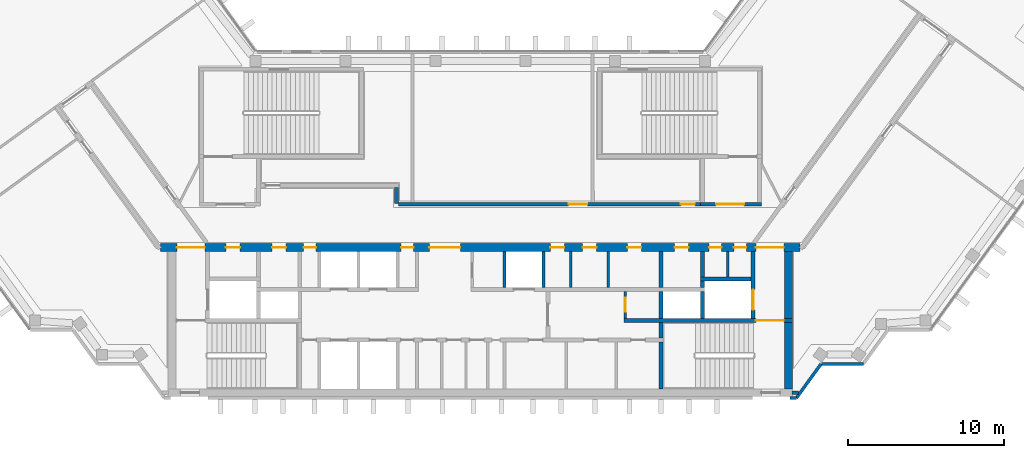
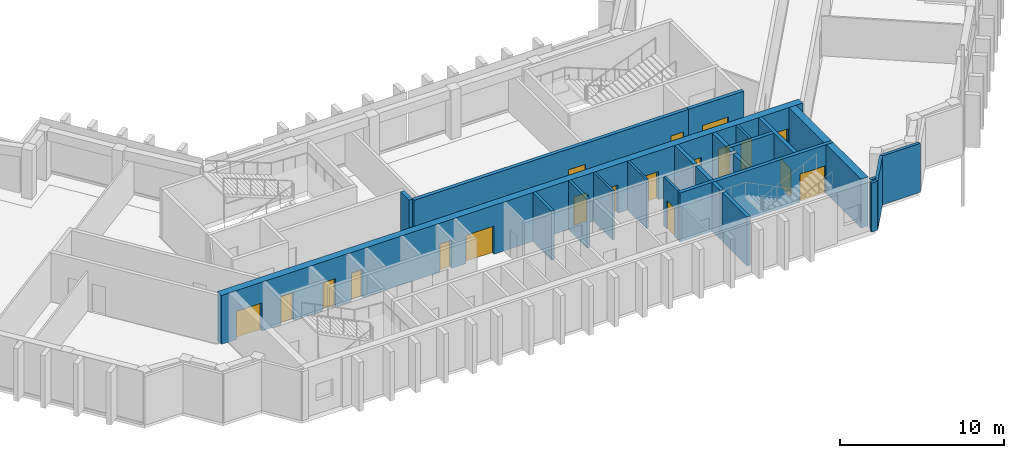
# One storey, part 6 of 10: 26 walls, 19 doors, 19 openings.
"""IFC4 building model written with IfcOpenShell, lengths in metres."""

from ifc_helpers import new_model, si_unit, direction, frame, frame_2d, origin, place, context, subcontext, project, spatial, rectangle, extrude, material, layer, layer_set, type_object, element, fill, save


model = new_model("IFC4")

# Units and contexts
model_context = context("Model", 3, precision=1e-05, world=origin(), true_north=direction((0.0, 1.0)))
body_context = subcontext(model_context, "Body", "Model", "MODEL_VIEW")
ifc_project = project(units=[si_unit("LENGTHUNIT", "METRE"), si_unit("AREAUNIT", "SQUARE_METRE"), si_unit("VOLUMEUNIT", "CUBIC_METRE"), si_unit("PLANEANGLEUNIT", "RADIAN"), si_unit("MASSUNIT", "GRAM", prefix="KILO")], contexts=[model_context])

# Site, building, storey
site_placement = place(None, origin())
site = spatial("IfcSite", under=ifc_project, at=site_placement, CompositionType="ELEMENT")
building_placement = place(site_placement, origin())
building = spatial("IfcBuilding", under=site, at=building_placement, Name="Quipu Civic Tower", CompositionType="ELEMENT")
storey_placement = place(building_placement, frame((0.0, 0.0, 327.0)))
storey = spatial("IfcBuildingStorey", under=building, at=storey_placement, Name="L76", CompositionType="ELEMENT", Elevation=327.0)

# Walls
ifc_material_1 = material(Name="Concrete C70/85", Category="concrete")
ifc_layer_1 = layer(ifc_material_1, 0.25)
ifc_layer_set_1 = layer_set([ifc_layer_1], Name="Concrete C70/85")
wall_type_1 = type_object("IfcWallType", Name="Core wall 250", PredefinedType="SHEAR", material=ifc_layer_set_1)
wall_1_placement = place(storey_placement, frame((11.574951171875, -10.5, 0.0), z_axis=(0.0, 0.0, 1.0), x_axis=(0.0, 1.0, 0.0)))
element("IfcWall", 1, at=wall_1_placement, inside=storey, type_object=wall_type_1, Name="Core wall", PredefinedType="SHEAR", context=body_context, shape_type="SweptSolid", body=[
    extrude(rectangle(XDim=3.0, YDim=0.25, at=frame_2d((1.5, 0.0))), origin(), (0.0, 0.0, 1.0), 3.64990234375),
])
wall_2_placement = place(storey_placement, frame((11.574951171875, -7.25, 0.0), z_axis=(0.0, 0.0, 1.0), x_axis=(0.0, 1.0, 0.0)))
element("IfcWall", 2, at=wall_2_placement, inside=storey, type_object=wall_type_1, Name="Core wall", PredefinedType="SHEAR", context=body_context, shape_type="SweptSolid", body=[
    extrude(rectangle(XDim=1.0, YDim=0.25, at=frame_2d((0.5, 0.0))), origin(), (0.0, 0.0, 1.0), 3.64990234375),
])

# Wall, opening, door
wall_3_placement = place(storey_placement, frame((20.0, -6.125, 0.0), z_axis=(0.0, 0.0, 1.0), x_axis=(-1.0, 0.0, 0.0)))
wall_3 = element("IfcWall", 3, at=wall_3_placement, inside=storey, type_object=wall_type_1, Name="Core wall", PredefinedType="SHEAR", context=body_context, shape_type="SweptSolid", body=[
    extrude(rectangle(XDim=10.800048828125, YDim=0.25, at=frame_2d((5.39990234375, 0.0))), origin(), (0.0, 0.0, 1.0), 3.64990234375),
])
opening_1_placement = place(wall_3_placement, frame((0.550048828125, 0.0, 0.0)))
opening_1 = element("IfcOpeningElement", 4, at=opening_1_placement, cuts=wall_3, Name="Opening CD-11", PredefinedType="OPENING", context=body_context, shape_type="SweptSolid", body=[
    extrude(rectangle(XDim=1.800048828125, YDim=2.10009765625, at=frame_2d((0.89990234375, 1.050048828125))), frame((0.0, 0.135009765625, 0.0), z_axis=(0.0, -1.0, 0.0), x_axis=(1.0, 0.0, 0.0)), (0.0, 0.0, 1.0), 0.27001953125),
])
ifc_material_2 = material(Name="Fire rated steel door", Category="steel")
door_type_1 = type_object("IfcDoorType", Name="Fire door FD90 double 1800 x 2100", OperationType="NOTDEFINED", PredefinedType="DOOR", material=ifc_material_2)
door_1_placement = place(opening_1_placement, origin())
door_1 = element("IfcDoor", 5, at=door_1_placement, inside=storey, type_object=door_type_1, Name="Door", OperationType="DOUBLE_DOOR_SINGLE_SWING", OverallHeight=2.10009765625, OverallWidth=1.800048828125, PredefinedType="DOOR", context=body_context, shape_type="SweptSolid", body=[
    extrude(rectangle(XDim=1.800048828125, YDim=2.10009765625, at=frame_2d((0.89990234375, 1.050048828125))), frame((0.0, 0.02490234375, 0.0), z_axis=(0.0, -1.0, 0.0), x_axis=(1.0, 0.0, 0.0)), (0.0, 0.0, 1.0), 0.050048828125),
])
fill(opening_1, door_1)

# Walls
for number, where, z_axis, x_axis, name in (
    (6, (11.574951171875, -6.0, 0.0), (0.0, 0.0, 1.0), (0.0, 1.0, 0.0), "Core wall"),
    (7, (14.22509765625, -6.0, 0.0), (0.0, 0.0, 1.0), (0.0, 1.0, 0.0), "Core wall"),
):
    element("IfcWall", number, at=place(storey_placement, frame(where, z_axis=z_axis, x_axis=x_axis)), inside=storey, type_object=wall_type_1, Name=name, PredefinedType="SHEAR", context=body_context, shape_type="SweptSolid", body=[
        extrude(rectangle(XDim=1.75, YDim=0.25, at=frame_2d((0.875, 0.0))), origin(), (0.0, 0.0, 1.0), 3.64990234375),
    ])

# Wall, opening, door
wall_4_placement = place(storey_placement, frame((17.47509765625, -6.0, 0.0), z_axis=(0.0, 0.0, 1.0), x_axis=(0.0, 1.0, 0.0)))
wall_4 = element("IfcWall", 8, at=wall_4_placement, inside=storey, type_object=wall_type_1, Name="Core wall", PredefinedType="SHEAR", context=body_context, shape_type="SweptSolid", body=[
    extrude(rectangle(XDim=4.300048828125, YDim=0.25, at=frame_2d((2.14990234375, 0.0))), origin(), (0.0, 0.0, 1.0), 3.64990234375),
])
opening_2_placement = place(wall_4_placement, frame((0.550048828125, 0.0, 0.0)))
opening_2 = element("IfcOpeningElement", 9, at=opening_2_placement, cuts=wall_4, Name="Opening LD-FF2", PredefinedType="OPENING", context=body_context, shape_type="SweptSolid", body=[
    extrude(rectangle(XDim=1.300048828125, YDim=2.10009765625, at=frame_2d((0.64990234375, 1.050048828125))), frame((0.0, 0.135009765625, 0.0), z_axis=(0.0, -1.0, 0.0), x_axis=(1.0, 0.0, 0.0)), (0.0, 0.0, 1.0), 0.27001953125),
])
ifc_material_3 = material(Name="Stainless steel", Category="steel")
door_type_2 = type_object("IfcDoorType", Name="Lift landing door 1300 x 2100", OperationType="DOUBLE_DOOR_SLIDING", PredefinedType="DOOR", material=ifc_material_3)
door_2_placement = place(opening_2_placement, origin())
door_2 = element("IfcDoor", 10, at=door_2_placement, inside=storey, type_object=door_type_2, Name="Landing door FF2", OperationType="DOUBLE_DOOR_SLIDING", OverallHeight=2.10009765625, OverallWidth=1.300048828125, PredefinedType="DOOR", context=body_context, shape_type="SweptSolid", body=[
    extrude(rectangle(XDim=1.300048828125, YDim=2.10009765625, at=frame_2d((0.64990234375, 1.050048828125))), frame((0.0, 0.02490234375, 0.0), z_axis=(0.0, -1.0, 0.0), x_axis=(1.0, 0.0, 0.0)), (0.0, 0.0, 1.0), 0.050048828125),
])
fill(opening_2, door_2)

# Walls
wall_5_placement = place(storey_placement, frame((11.574951171875, -4.0, 0.0), z_axis=(0.0, 0.0, 1.0), x_axis=(0.0, 1.0, 0.0)))
element("IfcWall", 11, at=wall_5_placement, inside=storey, type_object=wall_type_1, Name="Core wall", PredefinedType="SHEAR", context=body_context, shape_type="SweptSolid", body=[
    extrude(rectangle(XDim=2.300048828125, YDim=0.25, at=frame_2d((1.14990234375, 0.0))), origin(), (0.0, 0.0, 1.0), 3.64990234375),
])
wall_6_placement = place(storey_placement, frame((14.22509765625, -4.0, 0.0), z_axis=(0.0, 0.0, 1.0), x_axis=(0.0, 1.0, 0.0)))
element("IfcWall", 12, at=wall_6_placement, inside=storey, type_object=wall_type_1, Name="Core wall", PredefinedType="SHEAR", context=body_context, shape_type="SweptSolid", body=[
    extrude(rectangle(XDim=0.39990234375, YDim=0.25, at=frame_2d((0.199951171875, 0.0))), origin(), (0.0, 0.0, 1.0), 3.64990234375),
])
wall_7_placement = place(storey_placement, frame((14.10009765625, -3.47509765625, 0.0), z_axis=(0.0, 0.0, 1.0), x_axis=(1.0, 0.0, 0.0)))
element("IfcWall", 13, at=wall_7_placement, inside=storey, type_object=wall_type_1, Name="Core wall", PredefinedType="SHEAR", context=body_context, shape_type="SweptSolid", body=[
    extrude(rectangle(XDim=3.25, YDim=0.25, at=frame_2d((1.625, 0.0))), origin(), (0.0, 0.0, 1.0), 3.64990234375),
])
wall_8_placement = place(storey_placement, frame((14.22509765625, -3.35009765625, 0.0), z_axis=(0.0, 0.0, 1.0), x_axis=(0.0, 1.0, 0.0)))
element("IfcWall", 14, at=wall_8_placement, inside=storey, type_object=wall_type_1, Name="Core wall", PredefinedType="SHEAR", context=body_context, shape_type="SweptSolid", body=[
    extrude(rectangle(XDim=1.650146484375, YDim=0.25, at=frame_2d((0.8251953125, 0.0))), origin(), (0.0, 0.0, 1.0), 3.64990234375),
])

# Wall, opening, door
wall_9_placement = place(storey_placement, frame((14.10009765625, 1.324951171875, 0.0), z_axis=(0.0, 0.0, 1.0), x_axis=(1.0, 0.0, 0.0)))
wall_9 = element("IfcWall", 15, at=wall_9_placement, inside=storey, type_object=wall_type_1, Name="Core wall", PredefinedType="SHEAR", context=body_context, shape_type="SweptSolid", body=[
    extrude(rectangle(XDim=3.89990234375, YDim=0.25, at=frame_2d((1.949951171875, 0.0))), origin(), (0.0, 0.0, 1.0), 3.64990234375),
])
opening_3_placement = place(wall_9_placement, frame((1.0, 0.0, 0.0)))
opening_3 = element("IfcOpeningElement", 16, at=opening_3_placement, cuts=wall_9, Name="Opening CD-30", PredefinedType="OPENING", context=body_context, shape_type="SweptSolid", body=[
    extrude(rectangle(XDim=1.800048828125, YDim=2.10009765625, at=frame_2d((0.89990234375, 1.050048828125))), frame((0.0, 0.135009765625, 0.0), z_axis=(0.0, -1.0, 0.0), x_axis=(1.0, 0.0, 0.0)), (0.0, 0.0, 1.0), 0.27001953125),
])
door_3_placement = place(opening_3_placement, origin())
door_3 = element("IfcDoor", 17, at=door_3_placement, inside=storey, type_object=door_type_1, Name="Lobby door", OperationType="DOUBLE_DOOR_SINGLE_SWING", OverallHeight=2.10009765625, OverallWidth=1.800048828125, PredefinedType="DOOR", context=body_context, shape_type="SweptSolid", body=[
    extrude(rectangle(XDim=1.800048828125, YDim=2.10009765625, at=frame_2d((0.89990234375, 1.050048828125))), frame((0.0, 0.02490234375, 0.0), z_axis=(0.0, -1.0, 0.0), x_axis=(1.0, 0.0, 0.0)), (0.0, 0.0, 1.0), 0.050048828125),
])
fill(opening_3, door_3)

# Walls
ifc_material_4 = material(Name="Concrete C70/85", Category="concrete")
ifc_layer_2 = layer(ifc_material_4, 0.5)
ifc_layer_set_2 = layer_set([ifc_layer_2], Name="Concrete C70/85")
wall_type_2 = type_object("IfcWallType", Name="Core wall 500", PredefinedType="SHEAR", material=ifc_layer_set_2)
wall_10_placement = place(storey_placement, frame((19.75, -10.5, 0.0), z_axis=(0.0, 0.0, 1.0), x_axis=(0.0, 1.0, 0.0)))
element("IfcWall", 18, at=wall_10_placement, inside=storey, type_object=wall_type_2, Name="Core wall", PredefinedType="SHEAR", context=body_context, shape_type="SweptSolid", body=[
    extrude(rectangle(XDim=4.25, YDim=0.5, at=frame_2d((2.125, 0.0))), origin(), (0.0, 0.0, 1.0), 3.64990234375),
])
wall_11_placement = place(storey_placement, frame((19.75, -6.0, 0.0), z_axis=(0.0, 0.0, 1.0), x_axis=(0.0, 1.0, 0.0)))
element("IfcWall", 19, at=wall_11_placement, inside=storey, type_object=wall_type_2, Name="Core wall", PredefinedType="SHEAR", context=body_context, shape_type="SweptSolid", body=[
    extrude(rectangle(XDim=4.300048828125, YDim=0.5, at=frame_2d((2.14990234375, 0.0))), origin(), (0.0, 0.0, 1.0), 3.64990234375),
])

# Wall, openings, doors
wall_12_placement = place(storey_placement, frame((20.489990234375, -1.449951171875, 0.0), z_axis=(0.0, 0.0, 1.0), x_axis=(-1.0, 0.0, 0.0)))
wall_12 = element("IfcWall", 20, at=wall_12_placement, inside=storey, type_object=wall_type_2, Name="Core wall", PredefinedType="SHEAR", context=body_context, shape_type="SweptSolid", body=[
    extrude(rectangle(XDim=40.97998046875, YDim=0.5, at=frame_2d((20.489990234375, 0.0))), origin(), (0.0, 0.0, 1.0), 3.64990234375),
])
opening_4_placement = place(wall_12_placement, frame((38.139892578125, 0.0, 0.0)))
opening_4 = element("IfcOpeningElement", 21, at=opening_4_placement, cuts=wall_12, Name="Opening CD-15", PredefinedType="OPENING", context=body_context, shape_type="SweptSolid", body=[
    extrude(rectangle(XDim=1.800048828125, YDim=2.10009765625, at=frame_2d((0.89990234375, 1.050048828125))), frame((0.0, 0.260009765625, 0.0), z_axis=(0.0, -1.0, 0.0), x_axis=(1.0, 0.0, 0.0)), (0.0, 0.0, 1.0), 0.52001953125),
])
opening_5_placement = place(wall_12_placement, frame((35.889892578125, 0.0, 0.0)))
opening_5 = element("IfcOpeningElement", 22, at=opening_5_placement, cuts=wall_12, Name="Opening CD-16", PredefinedType="OPENING", context=body_context, shape_type="SweptSolid", body=[
    extrude(rectangle(XDim=0.89990234375, YDim=2.10009765625, at=frame_2d((0.449951171875, 1.050048828125))), frame((0.0, 0.260009765625, 0.0), z_axis=(0.0, -1.0, 0.0), x_axis=(1.0, 0.0, 0.0)), (0.0, 0.0, 1.0), 0.52001953125),
])
opening_6_placement = place(wall_12_placement, frame((32.93994140625, 0.0, 0.0)))
opening_6 = element("IfcOpeningElement", 23, at=opening_6_placement, cuts=wall_12, Name="Opening CD-17", PredefinedType="OPENING", context=body_context, shape_type="SweptSolid", body=[
    extrude(rectangle(XDim=0.89990234375, YDim=2.10009765625, at=frame_2d((0.449951171875, 1.050048828125))), frame((0.0, 0.260009765625, 0.0), z_axis=(0.0, -1.0, 0.0), x_axis=(1.0, 0.0, 0.0)), (0.0, 0.0, 1.0), 0.52001953125),
])
opening_7_placement = place(wall_12_placement, frame((31.014892578125, 0.0, 0.0)))
opening_7 = element("IfcOpeningElement", 24, at=opening_7_placement, cuts=wall_12, Name="Opening CD-18", PredefinedType="OPENING", context=body_context, shape_type="SweptSolid", body=[
    extrude(rectangle(XDim=0.800048828125, YDim=2.10009765625, at=frame_2d((0.39990234375, 1.050048828125))), frame((0.0, 0.260009765625, 0.0), z_axis=(0.0, -1.0, 0.0), x_axis=(1.0, 0.0, 0.0)), (0.0, 0.0, 1.0), 0.52001953125),
])
opening_8_placement = place(wall_12_placement, frame((24.764892578125, 0.0, 0.0)))
opening_8 = element("IfcOpeningElement", 25, at=opening_8_placement, cuts=wall_12, Name="Opening CD-19", PredefinedType="OPENING", context=body_context, shape_type="SweptSolid", body=[
    extrude(rectangle(XDim=0.800048828125, YDim=2.10009765625, at=frame_2d((0.39990234375, 1.050048828125))), frame((0.0, 0.260009765625, 0.0), z_axis=(0.0, -1.0, 0.0), x_axis=(1.0, 0.0, 0.0)), (0.0, 0.0, 1.0), 0.52001953125),
])
opening_9_placement = place(wall_12_placement, frame((21.764892578125, 0.0, 0.0)))
opening_9 = element("IfcOpeningElement", 26, at=opening_9_placement, cuts=wall_12, Name="Opening CD-20", PredefinedType="OPENING", context=body_context, shape_type="SweptSolid", body=[
    extrude(rectangle(XDim=2.0, YDim=2.10009765625, at=frame_2d((1.0, 1.050048828125))), frame((0.0, 0.260009765625, 0.0), z_axis=(0.0, -1.0, 0.0), x_axis=(1.0, 0.0, 0.0)), (0.0, 0.0, 1.0), 0.52001953125),
])
opening_10_placement = place(wall_12_placement, frame((15.1025390625, 0.0, 0.0)))
opening_10 = element("IfcOpeningElement", 27, at=opening_10_placement, cuts=wall_12, Name="Opening CD-21", PredefinedType="OPENING", context=body_context, shape_type="SweptSolid", body=[
    extrude(rectangle(XDim=0.89990234375, YDim=2.10009765625, at=frame_2d((0.449951171875, 1.050048828125))), frame((0.0, 0.260009765625, 0.0), z_axis=(0.0, -1.0, 0.0), x_axis=(1.0, 0.0, 0.0)), (0.0, 0.0, 1.0), 0.52001953125),
])
opening_11_placement = place(wall_12_placement, frame((13.0400390625, 0.0, 0.0)))
opening_11 = element("IfcOpeningElement", 28, at=opening_11_placement, cuts=wall_12, Name="Opening CD-22", PredefinedType="OPENING", context=body_context, shape_type="SweptSolid", body=[
    extrude(rectangle(XDim=0.89990234375, YDim=2.10009765625, at=frame_2d((0.449951171875, 1.050048828125))), frame((0.0, 0.260009765625, 0.0), z_axis=(0.0, -1.0, 0.0), x_axis=(1.0, 0.0, 0.0)), (0.0, 0.0, 1.0), 0.52001953125),
])
opening_12_placement = place(wall_12_placement, frame((10.177490234375, 0.0, 0.0)))
opening_12 = element("IfcOpeningElement", 29, at=opening_12_placement, cuts=wall_12, Name="Opening CD-23", PredefinedType="OPENING", context=body_context, shape_type="SweptSolid", body=[
    extrude(rectangle(XDim=0.89990234375, YDim=2.10009765625, at=frame_2d((0.449951171875, 1.050048828125))), frame((0.0, 0.260009765625, 0.0), z_axis=(0.0, -1.0, 0.0), x_axis=(1.0, 0.0, 0.0)), (0.0, 0.0, 1.0), 0.52001953125),
])
opening_13_placement = place(wall_12_placement, frame((7.139892578125, 0.0, 0.0)))
opening_13 = element("IfcOpeningElement", 30, at=opening_13_placement, cuts=wall_12, Name="Opening CD-24", PredefinedType="OPENING", context=body_context, shape_type="SweptSolid", body=[
    extrude(rectangle(XDim=0.89990234375, YDim=2.10009765625, at=frame_2d((0.449951171875, 1.050048828125))), frame((0.0, 0.260009765625, 0.0), z_axis=(0.0, -1.0, 0.0), x_axis=(1.0, 0.0, 0.0)), (0.0, 0.0, 1.0), 0.52001953125),
])
opening_14_placement = place(wall_12_placement, frame((5.027587890625, 0.0, 0.0)))
opening_14 = element("IfcOpeningElement", 31, at=opening_14_placement, cuts=wall_12, Name="Opening CD-25", PredefinedType="OPENING", context=body_context, shape_type="SweptSolid", body=[
    extrude(rectangle(XDim=0.800048828125, YDim=2.10009765625, at=frame_2d((0.39990234375, 1.050048828125))), frame((0.0, 0.260009765625, 0.0), z_axis=(0.0, -1.0, 0.0), x_axis=(1.0, 0.0, 0.0)), (0.0, 0.0, 1.0), 0.52001953125),
])
opening_15_placement = place(wall_12_placement, frame((3.452392578125, 0.0, 0.0)))
opening_15 = element("IfcOpeningElement", 32, at=opening_15_placement, cuts=wall_12, Name="Opening CD-26", PredefinedType="OPENING", context=body_context, shape_type="SweptSolid", body=[
    extrude(rectangle(XDim=0.800048828125, YDim=2.10009765625, at=frame_2d((0.39990234375, 1.050048828125))), frame((0.0, 0.260009765625, 0.0), z_axis=(0.0, -1.0, 0.0), x_axis=(1.0, 0.0, 0.0)), (0.0, 0.0, 1.0), 0.52001953125),
])
opening_16_placement = place(wall_12_placement, frame((1.0400390625, 0.0, 0.0)))
opening_16 = element("IfcOpeningElement", 33, at=opening_16_placement, cuts=wall_12, Name="Opening CD-27", PredefinedType="OPENING", context=body_context, shape_type="SweptSolid", body=[
    extrude(rectangle(XDim=1.800048828125, YDim=2.10009765625, at=frame_2d((0.89990234375, 1.050048828125))), frame((0.0, 0.260009765625, 0.0), z_axis=(0.0, -1.0, 0.0), x_axis=(1.0, 0.0, 0.0)), (0.0, 0.0, 1.0), 0.52001953125),
])
ifc_material_5 = material(Name="Fire rated steel door", Category="steel")
door_type_3 = type_object("IfcDoorType", Name="Fire door FD60 800 x 2100", OperationType="NOTDEFINED", PredefinedType="DOOR", material=ifc_material_5)
door_4_placement = place(opening_7_placement, origin())
door_4 = element("IfcDoor", 34, at=door_4_placement, inside=storey, type_object=door_type_3, Name="Door", OperationType="SINGLE_SWING_RIGHT", OverallHeight=2.10009765625, OverallWidth=0.800048828125, PredefinedType="DOOR", context=body_context, shape_type="SweptSolid", body=[
    extrude(rectangle(XDim=0.800048828125, YDim=2.10009765625, at=frame_2d((0.39990234375, 1.050048828125))), frame((0.0, 0.02490234375, 0.0), z_axis=(0.0, -1.0, 0.0), x_axis=(1.0, 0.0, 0.0)), (0.0, 0.0, 1.0), 0.050048828125),
])
fill(opening_7, door_4)
door_5_placement = place(opening_8_placement, origin())
door_5 = element("IfcDoor", 35, at=door_5_placement, inside=storey, type_object=door_type_3, Name="Door", OperationType="SINGLE_SWING_RIGHT", OverallHeight=2.10009765625, OverallWidth=0.800048828125, PredefinedType="DOOR", context=body_context, shape_type="SweptSolid", body=[
    extrude(rectangle(XDim=0.800048828125, YDim=2.10009765625, at=frame_2d((0.39990234375, 1.050048828125))), frame((0.0, 0.02490234375, 0.0), z_axis=(0.0, -1.0, 0.0), x_axis=(1.0, 0.0, 0.0)), (0.0, 0.0, 1.0), 0.050048828125),
])
fill(opening_8, door_5)
door_6_placement = place(opening_14_placement, origin())
door_6 = element("IfcDoor", 36, at=door_6_placement, inside=storey, type_object=door_type_3, Name="Door", OperationType="SINGLE_SWING_LEFT", OverallHeight=2.10009765625, OverallWidth=0.800048828125, PredefinedType="DOOR", context=body_context, shape_type="SweptSolid", body=[
    extrude(rectangle(XDim=0.800048828125, YDim=2.10009765625, at=frame_2d((0.39990234375, 1.050048828125))), frame((0.0, 0.02490234375, 0.0), z_axis=(0.0, -1.0, 0.0), x_axis=(1.0, 0.0, 0.0)), (0.0, 0.0, 1.0), 0.050048828125),
])
fill(opening_14, door_6)
door_7_placement = place(opening_15_placement, origin())
door_7 = element("IfcDoor", 37, at=door_7_placement, inside=storey, type_object=door_type_3, Name="Door", OperationType="SINGLE_SWING_LEFT", OverallHeight=2.10009765625, OverallWidth=0.800048828125, PredefinedType="DOOR", context=body_context, shape_type="SweptSolid", body=[
    extrude(rectangle(XDim=0.800048828125, YDim=2.10009765625, at=frame_2d((0.39990234375, 1.050048828125))), frame((0.0, 0.02490234375, 0.0), z_axis=(0.0, -1.0, 0.0), x_axis=(1.0, 0.0, 0.0)), (0.0, 0.0, 1.0), 0.050048828125),
])
fill(opening_15, door_7)
ifc_material_6 = material(Name="Fire rated steel door", Category="steel")
door_type_4 = type_object("IfcDoorType", Name="Fire door FD60 900 x 2100", OperationType="NOTDEFINED", PredefinedType="DOOR", material=ifc_material_6)
door_8_placement = place(opening_5_placement, origin())
door_8 = element("IfcDoor", 38, at=door_8_placement, inside=storey, type_object=door_type_4, Name="Door", OperationType="SINGLE_SWING_RIGHT", OverallHeight=2.10009765625, OverallWidth=0.89990234375, PredefinedType="DOOR", context=body_context, shape_type="SweptSolid", body=[
    extrude(rectangle(XDim=0.89990234375, YDim=2.10009765625, at=frame_2d((0.449951171875, 1.050048828125))), frame((0.0, 0.02490234375, 0.0), z_axis=(0.0, -1.0, 0.0), x_axis=(1.0, 0.0, 0.0)), (0.0, 0.0, 1.0), 0.050048828125),
])
fill(opening_5, door_8)
door_9_placement = place(opening_6_placement, origin())
door_9 = element("IfcDoor", 39, at=door_9_placement, inside=storey, type_object=door_type_4, Name="Riser door", OperationType="SINGLE_SWING_RIGHT", OverallHeight=2.10009765625, OverallWidth=0.89990234375, PredefinedType="DOOR", context=body_context, shape_type="SweptSolid", body=[
    extrude(rectangle(XDim=0.89990234375, YDim=2.10009765625, at=frame_2d((0.449951171875, 1.050048828125))), frame((0.0, 0.02490234375, 0.0), z_axis=(0.0, -1.0, 0.0), x_axis=(1.0, 0.0, 0.0)), (0.0, 0.0, 1.0), 0.050048828125),
])
fill(opening_6, door_9)
door_10_placement = place(opening_10_placement, origin())
door_10 = element("IfcDoor", 40, at=door_10_placement, inside=storey, type_object=door_type_4, Name="Door", OperationType="SINGLE_SWING_LEFT", OverallHeight=2.10009765625, OverallWidth=0.89990234375, PredefinedType="DOOR", context=body_context, shape_type="SweptSolid", body=[
    extrude(rectangle(XDim=0.89990234375, YDim=2.10009765625, at=frame_2d((0.449951171875, 1.050048828125))), frame((0.0, 0.02490234375, 0.0), z_axis=(0.0, -1.0, 0.0), x_axis=(1.0, 0.0, 0.0)), (0.0, 0.0, 1.0), 0.050048828125),
])
fill(opening_10, door_10)
door_11_placement = place(opening_11_placement, origin())
door_11 = element("IfcDoor", 41, at=door_11_placement, inside=storey, type_object=door_type_4, Name="Door", OperationType="SINGLE_SWING_LEFT", OverallHeight=2.10009765625, OverallWidth=0.89990234375, PredefinedType="DOOR", context=body_context, shape_type="SweptSolid", body=[
    extrude(rectangle(XDim=0.89990234375, YDim=2.10009765625, at=frame_2d((0.449951171875, 1.050048828125))), frame((0.0, 0.02490234375, 0.0), z_axis=(0.0, -1.0, 0.0), x_axis=(1.0, 0.0, 0.0)), (0.0, 0.0, 1.0), 0.050048828125),
])
fill(opening_11, door_11)
door_12_placement = place(opening_12_placement, origin())
door_12 = element("IfcDoor", 42, at=door_12_placement, inside=storey, type_object=door_type_4, Name="Door", OperationType="SINGLE_SWING_LEFT", OverallHeight=2.10009765625, OverallWidth=0.89990234375, PredefinedType="DOOR", context=body_context, shape_type="SweptSolid", body=[
    extrude(rectangle(XDim=0.89990234375, YDim=2.10009765625, at=frame_2d((0.449951171875, 1.050048828125))), frame((0.0, 0.02490234375, 0.0), z_axis=(0.0, -1.0, 0.0), x_axis=(1.0, 0.0, 0.0)), (0.0, 0.0, 1.0), 0.050048828125),
])
fill(opening_12, door_12)
door_13_placement = place(opening_13_placement, origin())
door_13 = element("IfcDoor", 43, at=door_13_placement, inside=storey, type_object=door_type_4, Name="Riser door", OperationType="SINGLE_SWING_LEFT", OverallHeight=2.10009765625, OverallWidth=0.89990234375, PredefinedType="DOOR", context=body_context, shape_type="SweptSolid", body=[
    extrude(rectangle(XDim=0.89990234375, YDim=2.10009765625, at=frame_2d((0.449951171875, 1.050048828125))), frame((0.0, 0.02490234375, 0.0), z_axis=(0.0, -1.0, 0.0), x_axis=(1.0, 0.0, 0.0)), (0.0, 0.0, 1.0), 0.050048828125),
])
fill(opening_13, door_13)
door_14_placement = place(opening_4_placement, origin())
door_14 = element("IfcDoor", 44, at=door_14_placement, inside=storey, type_object=door_type_1, Name="Lobby door", OperationType="DOUBLE_DOOR_SINGLE_SWING", OverallHeight=2.10009765625, OverallWidth=1.800048828125, PredefinedType="DOOR", context=body_context, shape_type="SweptSolid", body=[
    extrude(rectangle(XDim=1.800048828125, YDim=2.10009765625, at=frame_2d((0.89990234375, 1.050048828125))), frame((0.0, 0.02490234375, 0.0), z_axis=(0.0, -1.0, 0.0), x_axis=(1.0, 0.0, 0.0)), (0.0, 0.0, 1.0), 0.050048828125),
])
fill(opening_4, door_14)
door_15_placement = place(opening_16_placement, origin())
door_15 = element("IfcDoor", 45, at=door_15_placement, inside=storey, type_object=door_type_1, Name="Lobby door", OperationType="DOUBLE_DOOR_SINGLE_SWING", OverallHeight=2.10009765625, OverallWidth=1.800048828125, PredefinedType="DOOR", context=body_context, shape_type="SweptSolid", body=[
    extrude(rectangle(XDim=1.800048828125, YDim=2.10009765625, at=frame_2d((0.89990234375, 1.050048828125))), frame((0.0, 0.02490234375, 0.0), z_axis=(0.0, -1.0, 0.0), x_axis=(1.0, 0.0, 0.0)), (0.0, 0.0, 1.0), 0.050048828125),
])
fill(opening_16, door_15)
ifc_material_7 = material(Name="Fire rated steel door", Category="steel")
door_type_5 = type_object("IfcDoorType", Name="Fire door FD90 double 2000 x 2100", OperationType="NOTDEFINED", PredefinedType="DOOR", material=ifc_material_7)
door_16_placement = place(opening_9_placement, origin())
door_16 = element("IfcDoor", 46, at=door_16_placement, inside=storey, type_object=door_type_5, Name="Lobby door", OperationType="DOUBLE_DOOR_SINGLE_SWING", OverallHeight=2.10009765625, OverallWidth=2.0, PredefinedType="DOOR", context=body_context, shape_type="SweptSolid", body=[
    extrude(rectangle(XDim=2.0, YDim=2.10009765625, at=frame_2d((1.0, 1.050048828125))), frame((0.0, 0.02490234375, 0.0), z_axis=(0.0, -1.0, 0.0), x_axis=(1.0, 0.0, 0.0)), (0.0, 0.0, 1.0), 0.050048828125),
])
fill(opening_9, door_16)

# Wall
ifc_material_8 = material(Name="Concrete C50/60", Category="concrete")
ifc_layer_3 = layer(ifc_material_8, 0.25)
ifc_layer_set_3 = layer_set([ifc_layer_3], Name="Concrete C50/60")
wall_type_3 = type_object("IfcWallType", Name="Corridor wall 250 concrete", PredefinedType="SOLIDWALL", material=ifc_layer_set_3)
wall_13_placement = place(storey_placement, frame((-5.375, 2.39990234375, 0.0), z_axis=(0.0, 0.0, 1.0), x_axis=(0.0, -1.0, 0.0)))
element("IfcWall", 47, at=wall_13_placement, inside=storey, type_object=wall_type_3, Name="Corridor wall C08", PredefinedType="SOLIDWALL", context=body_context, shape_type="SweptSolid", body=[
    extrude(rectangle(XDim=1.041259765625, YDim=0.25, at=frame_2d((0.5205078125, 0.0))), origin(), (0.0, 0.0, 1.0), 3.64990234375),
])

# Wall, openings, doors
wall_14_placement = place(storey_placement, frame((-5.246337890625, 1.324951171875, 0.0), z_axis=(0.0, 0.0, 1.0), x_axis=(1.0, 0.0, 0.0)))
wall_14 = element("IfcWall", 48, at=wall_14_placement, inside=storey, type_object=wall_type_3, Name="Corridor wall C09", PredefinedType="SOLIDWALL", context=body_context, shape_type="SweptSolid", body=[
    extrude(rectangle(XDim=19.33642578125, YDim=0.25, at=frame_2d((9.668212890625, 0.0))), origin(), (0.0, 0.0, 1.0), 3.64990234375),
])
opening_17_placement = place(wall_14_placement, frame((10.894287109375, 0.0, 0.0)))
opening_17 = element("IfcOpeningElement", 49, at=opening_17_placement, cuts=wall_14, Name="Opening D006", PredefinedType="OPENING", context=body_context, shape_type="SweptSolid", body=[
    extrude(rectangle(XDim=1.199951171875, YDim=2.10009765625, at=frame_2d((0.60009765625, 1.050048828125))), frame((0.0, 0.135009765625, 0.0), z_axis=(0.0, -1.0, 0.0), x_axis=(1.0, 0.0, 0.0)), (0.0, 0.0, 1.0), 0.27001953125),
])
opening_18_placement = place(wall_14_placement, frame((18.09619140625, 0.0, 0.0)))
opening_18 = element("IfcOpeningElement", 50, at=opening_18_placement, cuts=wall_14, Name="Opening D007", PredefinedType="OPENING", context=body_context, shape_type="SweptSolid", body=[
    extrude(rectangle(XDim=0.89990234375, YDim=2.10009765625, at=frame_2d((0.449951171875, 1.050048828125))), frame((0.0, 0.135009765625, 0.0), z_axis=(0.0, -1.0, 0.0), x_axis=(1.0, 0.0, 0.0)), (0.0, 0.0, 1.0), 0.27001953125),
])
ifc_material_9 = material(Name="Fire rated timber door set with metal frame", Category="wood")
door_type_6 = type_object("IfcDoorType", Name="Single door 1200 x 2100 FD60", OperationType="NOTDEFINED", PredefinedType="DOOR", material=ifc_material_9)
door_17_placement = place(opening_17_placement, origin())
door_17 = element("IfcDoor", 51, at=door_17_placement, inside=storey, type_object=door_type_6, Name="Door D006", OperationType="SINGLE_SWING_RIGHT", OverallHeight=2.10009765625, OverallWidth=1.199951171875, PredefinedType="DOOR", context=body_context, shape_type="SweptSolid", body=[
    extrude(rectangle(XDim=1.199951171875, YDim=2.10009765625, at=frame_2d((0.60009765625, 1.050048828125))), frame((0.0, 0.02490234375, 0.0), z_axis=(0.0, -1.0, 0.0), x_axis=(1.0, 0.0, 0.0)), (0.0, 0.0, 1.0), 0.050048828125),
])
fill(opening_17, door_17)
ifc_material_10 = material(Name="Fire rated timber door set with metal frame", Category="wood")
door_type_7 = type_object("IfcDoorType", Name="Single door 900 x 2100 FD60", OperationType="NOTDEFINED", PredefinedType="DOOR", material=ifc_material_10)
door_18_placement = place(opening_18_placement, origin())
door_18 = element("IfcDoor", 52, at=door_18_placement, inside=storey, type_object=door_type_7, Name="Door D007", OperationType="SINGLE_SWING_RIGHT", OverallHeight=2.10009765625, OverallWidth=0.89990234375, PredefinedType="DOOR", context=body_context, shape_type="SweptSolid", body=[
    extrude(rectangle(XDim=0.89990234375, YDim=2.10009765625, at=frame_2d((0.449951171875, 1.050048828125))), frame((0.0, 0.02490234375, 0.0), z_axis=(0.0, -1.0, 0.0), x_axis=(1.0, 0.0, 0.0)), (0.0, 0.0, 1.0), 0.050048828125),
])
fill(opening_18, door_18)

# Wall, opening, door
ifc_material_11 = material(Name="Gypsum board partition")
ifc_layer_4 = layer(ifc_material_11, 0.14990234375)
ifc_layer_set_4 = layer_set([ifc_layer_4], Name="Gypsum board partition")
wall_type_4 = type_object("IfcWallType", Name="Partition 150", PredefinedType="PARTITIONING", material=ifc_layer_set_4)
wall_15_placement = place(storey_placement, frame((9.27490234375, -6.0, 0.0), z_axis=(0.0, 0.0, 1.0), x_axis=(0.0, 1.0, 0.0)))
wall_15 = element("IfcWall", 53, at=wall_15_placement, inside=storey, type_object=wall_type_4, Name="Partition", PredefinedType="PARTITIONING", context=body_context, shape_type="SweptSolid", body=[
    extrude(rectangle(XDim=1.75, YDim=0.14990234375, at=frame_2d((0.875, 0.0))), origin(), (0.0, 0.0, 1.0), 3.64990234375),
])
opening_19_placement = place(wall_15_placement, frame((0.449951171875, 0.0, 0.0)))
opening_19 = element("IfcOpeningElement", 54, at=opening_19_placement, cuts=wall_15, Name="Opening CD-13", PredefinedType="OPENING", context=body_context, shape_type="SweptSolid", body=[
    extrude(rectangle(XDim=0.89990234375, YDim=2.10009765625, at=frame_2d((0.449951171875, 1.050048828125))), frame((0.0, 0.0849609375, 0.0), z_axis=(0.0, -1.0, 0.0), x_axis=(1.0, 0.0, 0.0)), (0.0, 0.0, 1.0), 0.169921875),
])
door_19_placement = place(opening_19_placement, origin())
door_19 = element("IfcDoor", 55, at=door_19_placement, inside=storey, type_object=door_type_4, Name="Door", OperationType="SINGLE_SWING_RIGHT", OverallHeight=2.10009765625, OverallWidth=0.89990234375, PredefinedType="DOOR", context=body_context, shape_type="SweptSolid", body=[
    extrude(rectangle(XDim=0.89990234375, YDim=2.10009765625, at=frame_2d((0.449951171875, 1.050048828125))), frame((0.0, 0.02490234375, 0.0), z_axis=(0.0, -1.0, 0.0), x_axis=(1.0, 0.0, 0.0)), (0.0, 0.0, 1.0), 0.050048828125),
])
fill(opening_19, door_19)

# Walls
for number, where, z_axis, x_axis, name in (
    (56, (5.800048828125, -4.0, 0.0), (0.0, 0.0, 1.0), (0.0, 1.0, 0.0), "Partition"),
    (57, (8.199951171875, -4.0, 0.0), (0.0, 0.0, 1.0), (0.0, 1.0, 0.0), "Partition"),
):
    element("IfcWall", number, at=place(storey_placement, frame(where, z_axis=z_axis, x_axis=x_axis)), inside=storey, type_object=wall_type_4, Name=name, PredefinedType="PARTITIONING", context=body_context, shape_type="SweptSolid", body=[
        extrude(rectangle(XDim=2.300048828125, YDim=0.14990234375, at=frame_2d((1.14990234375, 0.0))), origin(), (0.0, 0.0, 1.0), 3.64990234375),
    ])
wall_16_placement = place(storey_placement, frame((15.85009765625, -3.35009765625, 0.0), z_axis=(0.0, 0.0, 1.0), x_axis=(0.0, 1.0, 0.0)))
element("IfcWall", 58, at=wall_16_placement, inside=storey, type_object=wall_type_4, Name="Partition", PredefinedType="PARTITIONING", context=body_context, shape_type="SweptSolid", body=[
    extrude(rectangle(XDim=1.650146484375, YDim=0.14990234375, at=frame_2d((0.8251953125, 0.0))), origin(), (0.0, 0.0, 1.0), 3.64990234375),
])
ifc_material_12 = material(Name="Precast concrete C40/50", Category="concrete")
wall_type_5 = type_object("IfcWallType", Name="Precast cladding wall", PredefinedType="SOLIDWALL", material=ifc_material_12)
wall_17_placement = place(storey_placement, frame((19.85009765625, -11.087890625, 0.0), z_axis=(0.0, 0.0, 1.0), x_axis=(1.0, 0.0, 0.0)))
element("IfcWall", 59, at=wall_17_placement, inside=storey, type_object=wall_type_5, Name="Precast cladding wall L76 P19", PredefinedType="SOLIDWALL", context=body_context, shape_type="SweptSolid", body=[
    extrude(rectangle(XDim=0.40576171875, YDim=0.199951171875, at=frame_2d((0.202880859375, 0.0))), origin(), (0.0, 0.0, 1.0), 3.64990234375),
])
wall_18_placement = place(storey_placement, frame((20.253173828125, -11.083251953125, 0.0), z_axis=(0.0, 0.0, 1.0), x_axis=(0.587766567315, 0.809030569476, 0.0)))
element("IfcWall", 60, at=wall_18_placement, inside=storey, type_object=wall_type_5, Name="Precast cladding wall L76 P20", PredefinedType="SOLIDWALL", context=body_context, shape_type="SweptSolid", body=[
    extrude(rectangle(XDim=2.687744140625, YDim=0.199951171875, at=frame_2d((1.34375, 0.0))), origin(), (0.0, 0.0, 1.0), 3.64990234375),
])
wall_19_placement = place(storey_placement, frame((21.8427734375, -8.90380859375, 0.0), z_axis=(0.0, 0.0, 1.0), x_axis=(1.0, 0.0, 0.0)))
element("IfcWall", 61, at=wall_19_placement, inside=storey, type_object=wall_type_5, Name="Precast cladding wall L76 P33", PredefinedType="SOLIDWALL", context=body_context, shape_type="SweptSolid", body=[
    extrude(rectangle(XDim=2.699951171875, YDim=0.199951171875, at=frame_2d((1.35009765625, 0.0))), origin(), (0.0, 0.0, 1.0), 3.64990234375),
])
wall_20_placement = place(storey_placement, frame((19.97998046875, -10.75, 0.0), z_axis=(0.0, 0.0, 1.0), x_axis=(1.0, 0.0, 0.0)))
element("IfcWall", 62, at=wall_20_placement, inside=storey, type_object=wall_type_5, Name="Precast cladding return L76 E", PredefinedType="SOLIDWALL", context=body_context, shape_type="SweptSolid", body=[
    extrude(rectangle(XDim=0.41650390625, YDim=0.199951171875, at=frame_2d((0.208251953125, 0.0))), origin(), (0.0, 0.0, 1.0), 3.64990234375),
])
ifc_material_13 = material(Name="Concrete C40/50", Category="concrete")
ifc_layer_5 = layer(ifc_material_13, 0.199951171875)
ifc_layer_set_5 = layer_set([ifc_layer_5], Name="Concrete C40/50")
wall_type_6 = type_object("IfcWallType", Name="Shaft wall 200", PredefinedType="SOLIDWALL", material=ifc_layer_set_5)
for number, where, z_axis, x_axis, name in (
    (63, (1.550048828125, -4.0, 0.0), (0.0, 0.0, 1.0), (0.0, 1.0, 0.0), "Shaft wall"),
    (64, (4.050048828125, -4.0, 0.0), (0.0, 0.0, 1.0), (0.0, 1.0, 0.0), "Shaft wall"),
):
    element("IfcWall", number, at=place(storey_placement, frame(where, z_axis=z_axis, x_axis=x_axis)), inside=storey, type_object=wall_type_6, Name=name, PredefinedType="SOLIDWALL", context=body_context, shape_type="SweptSolid", body=[
        extrude(rectangle(XDim=2.300048828125, YDim=0.199951171875, at=frame_2d((1.14990234375, 0.0))), origin(), (0.0, 0.0, 1.0), 3.64990234375),
    ])

save(model, "model.ifc")
